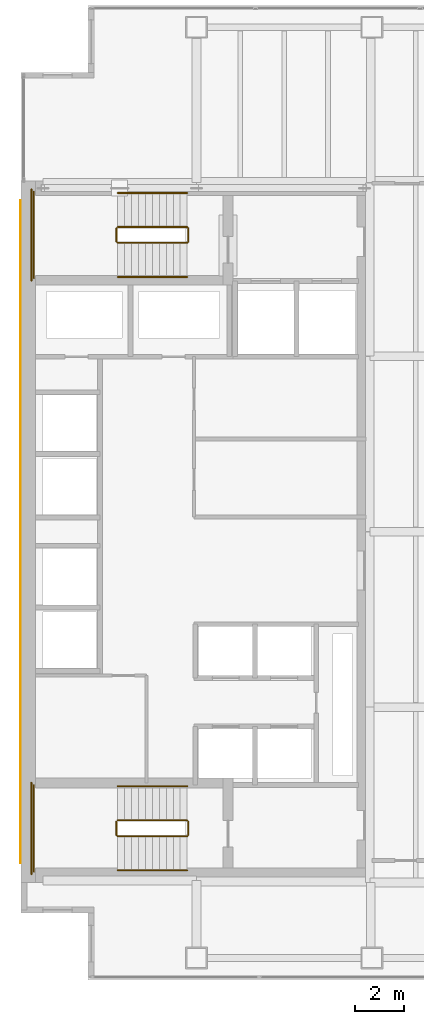
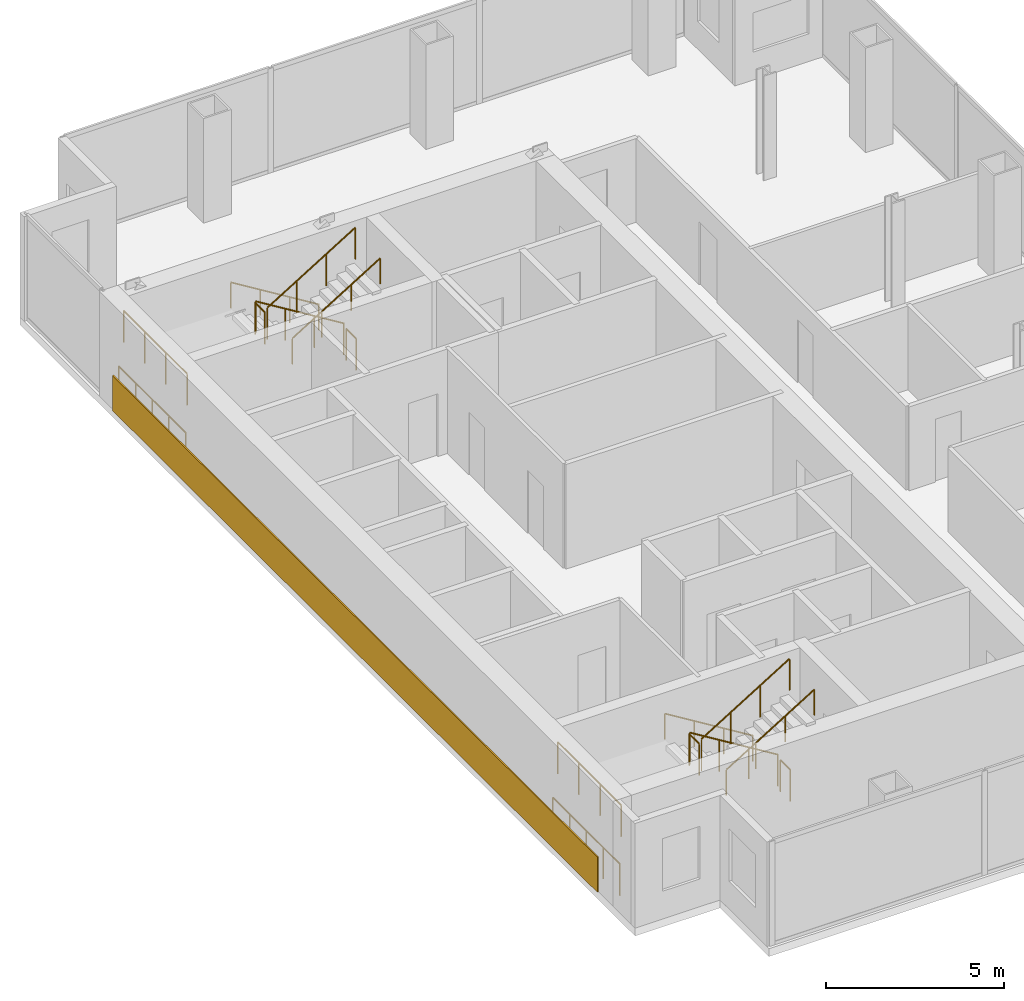
# One storey, part 24 of 24: 16 railings, 1 covering.
"""IFC4 building model written with IfcOpenShell, lengths in metres."""

from ifc_helpers import new_model, si_unit, direction, frame, origin, origin_2d, place, context, subcontext, project, spatial, polyline, circle, outline, extrude, material, layer, layer_set, type_object, element, save


model = new_model("IFC4")

# Units and contexts
model_context = context("Model", 3, precision=1e-05, world=origin(), true_north=direction((0.0, 1.0)))
body_context = subcontext(model_context, "Body", "Model", "MODEL_VIEW")
ifc_project = project(units=[si_unit("LENGTHUNIT", "METRE"), si_unit("AREAUNIT", "SQUARE_METRE"), si_unit("VOLUMEUNIT", "CUBIC_METRE"), si_unit("PLANEANGLEUNIT", "RADIAN"), si_unit("MASSUNIT", "GRAM", prefix="KILO")], contexts=[model_context])

# Site, building, storey
site_placement = place(None, origin())
site = spatial("IfcSite", under=ifc_project, at=site_placement, CompositionType="ELEMENT")
building_placement = place(site_placement, origin())
building = spatial("IfcBuilding", under=site, at=building_placement, Name="Cobrela Telecom Tower", CompositionType="ELEMENT")
storey_placement = place(building_placement, frame((0.0, 0.0, 121.449951171875)))
storey = spatial("IfcBuildingStorey", under=building, at=storey_placement, Name="L30", CompositionType="ELEMENT", Elevation=121.449951171875)

# Covering
ifc_material_1 = material(Name="Bogota Terracotta Architectural Stone", Category="masonry")
ifc_layer = layer(ifc_material_1, 0.0400390625)
ifc_layer_set = layer_set([ifc_layer], Name="Bogota Terracotta Architectural Stone")
covering_type = type_object("IfcCoveringType", Name="COV-CLAD-TERRA", PredefinedType="CLADDING", material=ifc_layer_set)
covering_placement = place(storey_placement, origin())
element("IfcCovering", 1, at=covering_placement, inside=storey, type_object=covering_type, Name="L30 West Core Terracotta Spandrel Cladding Band", PredefinedType="CLADDING", context=body_context, shape_type="SweptSolid", body=[
    extrude(outline(polyline([(-0.0400390625, 8.0), (0.0, 8.0), (0.0, 35.199951171875), (-0.0400390625, 35.199951171875), (-0.0400390625, 8.0)])), origin(), (0.0, 0.0, 1.0), 1.199951171875),
])

# Railings
ifc_material_2 = material(Name="Steel ASTM A36", Category="steel")
railing_type_1 = type_object("IfcRailingType", Name="RAIL-GUARD-1100", PredefinedType="GUARDRAIL", material=ifc_material_2)
railing_1_placement = place(storey_placement, frame((6.820068359375, 34.10009765625, 0.175048828125)))
element("IfcRailing", 2, at=railing_1_placement, inside=storey, type_object=railing_type_1, Name="L30 ST1 stair guard 1", PredefinedType="GUARDRAIL", context=body_context, shape_type="SweptSolid", body=[
    extrude(circle(Radius=0.02392578125, at=origin_2d()), frame((0.0, 0.0, 1.076171875), z_axis=(-0.852179220489, 0.0, 0.52325001306), x_axis=(0.0, -1.0, 0.0)), (0.0, 0.0, 1.0), 3.344482421875),
    extrude(circle(Radius=0.02099609375, at=origin_2d()), origin(), (0.0, 0.0, 1.0), 1.052001953125),
    extrude(circle(Radius=0.02099609375, at=origin_2d()), frame((-0.949951171875, 0.0, 0.583251953125)), (0.0, 0.0, 1.0), 1.052001953125),
    extrude(circle(Radius=0.02099609375, at=origin_2d()), frame((-1.900146484375, 0.0, 1.166748046875)), (0.0, 0.0, 1.0), 1.052001953125),
    extrude(circle(Radius=0.02099609375, at=origin_2d()), frame((-2.85009765625, 0.0, 1.75)), (0.0, 0.0, 1.0), 1.052001953125),
])
railing_2_placement = place(storey_placement, frame((3.919921875, 34.050048828125, 1.925048828125)))
element("IfcRailing", 3, at=railing_2_placement, inside=storey, type_object=railing_type_1, Name="L30 ST1 stair guard 2", PredefinedType="GUARDRAIL", context=body_context, shape_type="SweptSolid", body=[
    extrude(circle(Radius=0.02392578125, at=origin_2d()), frame((0.0, 0.0, 1.076171875), z_axis=(0.0, -1.0, 0.0), x_axis=(1.0, 0.0, 0.0)), (0.0, 0.0, 1.0), 0.550048828125),
    extrude(circle(Radius=0.02099609375, at=origin_2d()), origin(), (0.0, 0.0, 1.0), 1.052001953125),
    extrude(circle(Radius=0.02099609375, at=origin_2d()), frame((0.0, -0.550048828125, 0.0)), (0.0, 0.0, 1.0), 1.052001953125),
])
railing_3_placement = place(storey_placement, frame((0.530029296875, 35.550048828125, 1.925048828125)))
element("IfcRailing", 4, at=railing_3_placement, inside=storey, type_object=railing_type_1, Name="L30 ST1 stair guard 3", PredefinedType="GUARDRAIL", context=body_context, shape_type="SweptSolid", body=[
    extrude(circle(Radius=0.02392578125, at=origin_2d()), frame((0.0, 0.0, 1.076171875), z_axis=(0.0, -1.0, 0.0), x_axis=(1.0, 0.0, 0.0)), (0.0, 0.0, 1.0), 3.550048828125),
    extrude(circle(Radius=0.02099609375, at=origin_2d()), origin(), (0.0, 0.0, 1.0), 1.052001953125),
    extrude(circle(Radius=0.02099609375, at=origin_2d()), frame((0.0, -1.183349609375, 0.0)), (0.0, 0.0, 1.0), 1.052001953125),
    extrude(circle(Radius=0.02099609375, at=origin_2d()), frame((0.0, -2.36669921875, 0.0)), (0.0, 0.0, 1.0), 1.052001953125),
    extrude(circle(Radius=0.02099609375, at=origin_2d()), frame((0.0, -3.550048828125, 0.0)), (0.0, 0.0, 1.0), 1.052001953125),
])
railing_4_placement = place(storey_placement, frame((3.969970703125, 33.449951171875, 2.10009765625)))
element("IfcRailing", 5, at=railing_4_placement, inside=storey, type_object=railing_type_1, Name="L30 ST1 stair guard 4", PredefinedType="GUARDRAIL", context=body_context, shape_type="SweptSolid", body=[
    extrude(circle(Radius=0.02392578125, at=origin_2d()), frame((0.0, 0.0, 1.076171875), z_axis=(0.852179220489, 0.0, 0.52325001306), x_axis=(0.0, 1.0, 0.0)), (0.0, 0.0, 1.0), 3.344482421875),
    extrude(circle(Radius=0.02099609375, at=origin_2d()), origin(), (0.0, 0.0, 1.0), 1.052001953125),
    extrude(circle(Radius=0.02099609375, at=origin_2d()), frame((0.949951171875, 0.0, 0.583251953125)), (0.0, 0.0, 1.0), 1.052001953125),
    extrude(circle(Radius=0.02099609375, at=origin_2d()), frame((1.900146484375, 0.0, 1.166748046875)), (0.0, 0.0, 1.0), 1.052001953125),
    extrude(circle(Radius=0.02099609375, at=origin_2d()), frame((2.85009765625, 0.0, 1.75)), (0.0, 0.0, 1.0), 1.052001953125),
])
railing_5_placement = place(storey_placement, frame((6.8701171875, 34.050048828125, 0.0)))
element("IfcRailing", 6, at=railing_5_placement, inside=storey, type_object=railing_type_1, Name="L30 ST1 stair guard 5", PredefinedType="GUARDRAIL", context=body_context, shape_type="SweptSolid", body=[
    extrude(circle(Radius=0.02392578125, at=origin_2d()), frame((0.0, 0.0, 1.076171875), z_axis=(0.0, -1.0, 0.0), x_axis=(1.0, 0.0, 0.0)), (0.0, 0.0, 1.0), 0.550048828125),
    extrude(circle(Radius=0.02099609375, at=origin_2d()), origin(), (0.0, 0.0, 1.0), 1.052001953125),
    extrude(circle(Radius=0.02099609375, at=origin_2d()), frame((0.0, -0.550048828125, 0.0)), (0.0, 0.0, 1.0), 1.052001953125),
])
railing_6_placement = place(storey_placement, frame((0.429931640625, 35.64990234375, 0.0)))
element("IfcRailing", 7, at=railing_6_placement, inside=storey, type_object=railing_type_1, Name="L30 ST1 stair guard 6", PredefinedType="GUARDRAIL", context=body_context, shape_type="SweptSolid", body=[
    extrude(circle(Radius=0.02392578125, at=origin_2d()), frame((0.0, 0.0, 1.076171875), z_axis=(0.0, -1.0, 0.0), x_axis=(1.0, 0.0, 0.0)), (0.0, 0.0, 1.0), 3.75),
    extrude(circle(Radius=0.02099609375, at=origin_2d()), origin(), (0.0, 0.0, 1.0), 1.052001953125),
    extrude(circle(Radius=0.02099609375, at=origin_2d()), frame((0.0, -0.9375, 0.0)), (0.0, 0.0, 1.0), 1.052001953125),
    extrude(circle(Radius=0.02099609375, at=origin_2d()), frame((0.0, -1.875, 0.0)), (0.0, 0.0, 1.0), 1.052001953125),
    extrude(circle(Radius=0.02099609375, at=origin_2d()), frame((0.0, -2.8125, 0.0)), (0.0, 0.0, 1.0), 1.052001953125),
    extrude(circle(Radius=0.02099609375, at=origin_2d()), frame((0.0, -3.75, 0.0)), (0.0, 0.0, 1.0), 1.052001953125),
])
railing_7_placement = place(storey_placement, frame((6.820068359375, 9.75, 0.175048828125)))
element("IfcRailing", 8, at=railing_7_placement, inside=storey, type_object=railing_type_1, Name="L30 ST2 stair guard 1", PredefinedType="GUARDRAIL", context=body_context, shape_type="SweptSolid", body=[
    extrude(circle(Radius=0.02392578125, at=origin_2d()), frame((0.0, 0.0, 1.076171875), z_axis=(-0.852179220489, 0.0, 0.52325001306), x_axis=(0.0, -1.0, 0.0)), (0.0, 0.0, 1.0), 3.344482421875),
    extrude(circle(Radius=0.02099609375, at=origin_2d()), origin(), (0.0, 0.0, 1.0), 1.052001953125),
    extrude(circle(Radius=0.02099609375, at=origin_2d()), frame((-0.949951171875, 0.0, 0.583251953125)), (0.0, 0.0, 1.0), 1.052001953125),
    extrude(circle(Radius=0.02099609375, at=origin_2d()), frame((-1.900146484375, 0.0, 1.166748046875)), (0.0, 0.0, 1.0), 1.052001953125),
    extrude(circle(Radius=0.02099609375, at=origin_2d()), frame((-2.85009765625, 0.0, 1.75)), (0.0, 0.0, 1.0), 1.052001953125),
])
railing_8_placement = place(storey_placement, frame((3.919921875, 9.699951171875, 1.925048828125)))
element("IfcRailing", 9, at=railing_8_placement, inside=storey, type_object=railing_type_1, Name="L30 ST2 stair guard 2", PredefinedType="GUARDRAIL", context=body_context, shape_type="SweptSolid", body=[
    extrude(circle(Radius=0.02392578125, at=origin_2d()), frame((0.0, 0.0, 1.076171875), z_axis=(0.0, -1.0, 0.0), x_axis=(1.0, 0.0, 0.0)), (0.0, 0.0, 1.0), 0.550048828125),
    extrude(circle(Radius=0.02099609375, at=origin_2d()), origin(), (0.0, 0.0, 1.0), 1.052001953125),
    extrude(circle(Radius=0.02099609375, at=origin_2d()), frame((0.0, -0.550048828125, 0.0)), (0.0, 0.0, 1.0), 1.052001953125),
])
railing_9_placement = place(storey_placement, frame((0.530029296875, 11.199951171875, 1.925048828125)))
element("IfcRailing", 10, at=railing_9_placement, inside=storey, type_object=railing_type_1, Name="L30 ST2 stair guard 3", PredefinedType="GUARDRAIL", context=body_context, shape_type="SweptSolid", body=[
    extrude(circle(Radius=0.02392578125, at=origin_2d()), frame((0.0, 0.0, 1.076171875), z_axis=(0.0, -1.0, 0.0), x_axis=(1.0, 0.0, 0.0)), (0.0, 0.0, 1.0), 3.550048828125),
    extrude(circle(Radius=0.02099609375, at=origin_2d()), origin(), (0.0, 0.0, 1.0), 1.052001953125),
    extrude(circle(Radius=0.02099609375, at=origin_2d()), frame((0.0, -1.183349609375, 0.0)), (0.0, 0.0, 1.0), 1.052001953125),
    extrude(circle(Radius=0.02099609375, at=origin_2d()), frame((0.0, -2.36669921875, 0.0)), (0.0, 0.0, 1.0), 1.052001953125),
    extrude(circle(Radius=0.02099609375, at=origin_2d()), frame((0.0, -3.550048828125, 0.0)), (0.0, 0.0, 1.0), 1.052001953125),
])
railing_10_placement = place(storey_placement, frame((3.969970703125, 9.10009765625, 2.10009765625)))
element("IfcRailing", 11, at=railing_10_placement, inside=storey, type_object=railing_type_1, Name="L30 ST2 stair guard 4", PredefinedType="GUARDRAIL", context=body_context, shape_type="SweptSolid", body=[
    extrude(circle(Radius=0.02392578125, at=origin_2d()), frame((0.0, 0.0, 1.076171875), z_axis=(0.852179220489, 0.0, 0.52325001306), x_axis=(0.0, 1.0, 0.0)), (0.0, 0.0, 1.0), 3.344482421875),
    extrude(circle(Radius=0.02099609375, at=origin_2d()), origin(), (0.0, 0.0, 1.0), 1.052001953125),
    extrude(circle(Radius=0.02099609375, at=origin_2d()), frame((0.949951171875, 0.0, 0.583251953125)), (0.0, 0.0, 1.0), 1.052001953125),
    extrude(circle(Radius=0.02099609375, at=origin_2d()), frame((1.900146484375, 0.0, 1.166748046875)), (0.0, 0.0, 1.0), 1.052001953125),
    extrude(circle(Radius=0.02099609375, at=origin_2d()), frame((2.85009765625, 0.0, 1.75)), (0.0, 0.0, 1.0), 1.052001953125),
])
railing_11_placement = place(storey_placement, frame((6.8701171875, 9.699951171875, 0.0)))
element("IfcRailing", 12, at=railing_11_placement, inside=storey, type_object=railing_type_1, Name="L30 ST2 stair guard 5", PredefinedType="GUARDRAIL", context=body_context, shape_type="SweptSolid", body=[
    extrude(circle(Radius=0.02392578125, at=origin_2d()), frame((0.0, 0.0, 1.076171875), z_axis=(0.0, -1.0, 0.0), x_axis=(1.0, 0.0, 0.0)), (0.0, 0.0, 1.0), 0.550048828125),
    extrude(circle(Radius=0.02099609375, at=origin_2d()), origin(), (0.0, 0.0, 1.0), 1.052001953125),
    extrude(circle(Radius=0.02099609375, at=origin_2d()), frame((0.0, -0.550048828125, 0.0)), (0.0, 0.0, 1.0), 1.052001953125),
])
railing_12_placement = place(storey_placement, frame((0.429931640625, 11.300048828125, 0.0)))
element("IfcRailing", 13, at=railing_12_placement, inside=storey, type_object=railing_type_1, Name="L30 ST2 stair guard 6", PredefinedType="GUARDRAIL", context=body_context, shape_type="SweptSolid", body=[
    extrude(circle(Radius=0.02392578125, at=origin_2d()), frame((0.0, 0.0, 1.076171875), z_axis=(0.0, -1.0, 0.0), x_axis=(1.0, 0.0, 0.0)), (0.0, 0.0, 1.0), 3.75),
    extrude(circle(Radius=0.02099609375, at=origin_2d()), origin(), (0.0, 0.0, 1.0), 1.052001953125),
    extrude(circle(Radius=0.02099609375, at=origin_2d()), frame((0.0, -0.9375, 0.0)), (0.0, 0.0, 1.0), 1.052001953125),
    extrude(circle(Radius=0.02099609375, at=origin_2d()), frame((0.0, -1.875, 0.0)), (0.0, 0.0, 1.0), 1.052001953125),
    extrude(circle(Radius=0.02099609375, at=origin_2d()), frame((0.0, -2.8125, 0.0)), (0.0, 0.0, 1.0), 1.052001953125),
    extrude(circle(Radius=0.02099609375, at=origin_2d()), frame((0.0, -3.75, 0.0)), (0.0, 0.0, 1.0), 1.052001953125),
])
railing_type_2 = type_object("IfcRailingType", Name="RAIL-HAND-920", PredefinedType="HANDRAIL", material=ifc_material_2)
railing_13_placement = place(storey_placement, frame((6.820068359375, 35.5, 0.175048828125)))
element("IfcRailing", 14, at=railing_13_placement, inside=storey, type_object=railing_type_2, Name="L30 ST1 stair handrail 1", PredefinedType="HANDRAIL", context=body_context, shape_type="SweptSolid", body=[
    extrude(circle(Radius=0.02392578125, at=origin_2d()), frame((0.0, 0.0, 0.8759765625), z_axis=(-0.852179220489, 0.0, 0.52325001306), x_axis=(0.0, -1.0, 0.0)), (0.0, 0.0, 1.0), 3.344482421875),
    extrude(circle(Radius=0.02099609375, at=origin_2d()), origin(), (0.0, 0.0, 1.0), 0.851806640625),
    extrude(circle(Radius=0.02099609375, at=origin_2d()), frame((-0.949951171875, 0.0, 0.583251953125)), (0.0, 0.0, 1.0), 0.851806640625),
    extrude(circle(Radius=0.02099609375, at=origin_2d()), frame((-1.900146484375, 0.0, 1.166748046875)), (0.0, 0.0, 1.0), 0.851806640625),
    extrude(circle(Radius=0.02099609375, at=origin_2d()), frame((-2.85009765625, 0.0, 1.75)), (0.0, 0.0, 1.0), 0.851806640625),
])
railing_14_placement = place(storey_placement, frame((3.969970703125, 32.050048828125, 2.10009765625)))
element("IfcRailing", 15, at=railing_14_placement, inside=storey, type_object=railing_type_2, Name="L30 ST1 stair handrail 2", PredefinedType="HANDRAIL", context=body_context, shape_type="SweptSolid", body=[
    extrude(circle(Radius=0.02392578125, at=origin_2d()), frame((0.0, 0.0, 0.8759765625), z_axis=(0.852179220489, 0.0, 0.52325001306), x_axis=(0.0, 1.0, 0.0)), (0.0, 0.0, 1.0), 3.344482421875),
    extrude(circle(Radius=0.02099609375, at=origin_2d()), origin(), (0.0, 0.0, 1.0), 0.851806640625),
    extrude(circle(Radius=0.02099609375, at=origin_2d()), frame((0.949951171875, 0.0, 0.583251953125)), (0.0, 0.0, 1.0), 0.851806640625),
    extrude(circle(Radius=0.02099609375, at=origin_2d()), frame((1.900146484375, 0.0, 1.166748046875)), (0.0, 0.0, 1.0), 0.851806640625),
    extrude(circle(Radius=0.02099609375, at=origin_2d()), frame((2.85009765625, 0.0, 1.75)), (0.0, 0.0, 1.0), 0.851806640625),
])
railing_15_placement = place(storey_placement, frame((6.820068359375, 11.14990234375, 0.175048828125)))
element("IfcRailing", 16, at=railing_15_placement, inside=storey, type_object=railing_type_2, Name="L30 ST2 stair handrail 1", PredefinedType="HANDRAIL", context=body_context, shape_type="SweptSolid", body=[
    extrude(circle(Radius=0.02392578125, at=origin_2d()), frame((0.0, 0.0, 0.8759765625), z_axis=(-0.852179220489, 0.0, 0.52325001306), x_axis=(0.0, -1.0, 0.0)), (0.0, 0.0, 1.0), 3.344482421875),
    extrude(circle(Radius=0.02099609375, at=origin_2d()), origin(), (0.0, 0.0, 1.0), 0.851806640625),
    extrude(circle(Radius=0.02099609375, at=origin_2d()), frame((-0.949951171875, 0.0, 0.583251953125)), (0.0, 0.0, 1.0), 0.851806640625),
    extrude(circle(Radius=0.02099609375, at=origin_2d()), frame((-1.900146484375, 0.0, 1.166748046875)), (0.0, 0.0, 1.0), 0.851806640625),
    extrude(circle(Radius=0.02099609375, at=origin_2d()), frame((-2.85009765625, 0.0, 1.75)), (0.0, 0.0, 1.0), 0.851806640625),
])
railing_16_placement = place(storey_placement, frame((3.969970703125, 7.699951171875, 2.10009765625)))
element("IfcRailing", 17, at=railing_16_placement, inside=storey, type_object=railing_type_2, Name="L30 ST2 stair handrail 2", PredefinedType="HANDRAIL", context=body_context, shape_type="SweptSolid", body=[
    extrude(circle(Radius=0.02392578125, at=origin_2d()), frame((0.0, 0.0, 0.8759765625), z_axis=(0.852179220489, 0.0, 0.52325001306), x_axis=(0.0, 1.0, 0.0)), (0.0, 0.0, 1.0), 3.344482421875),
    extrude(circle(Radius=0.02099609375, at=origin_2d()), origin(), (0.0, 0.0, 1.0), 0.851806640625),
    extrude(circle(Radius=0.02099609375, at=origin_2d()), frame((0.949951171875, 0.0, 0.583251953125)), (0.0, 0.0, 1.0), 0.851806640625),
    extrude(circle(Radius=0.02099609375, at=origin_2d()), frame((1.900146484375, 0.0, 1.166748046875)), (0.0, 0.0, 1.0), 0.851806640625),
    extrude(circle(Radius=0.02099609375, at=origin_2d()), frame((2.85009765625, 0.0, 1.75)), (0.0, 0.0, 1.0), 0.851806640625),
])

save(model, "model.ifc")
